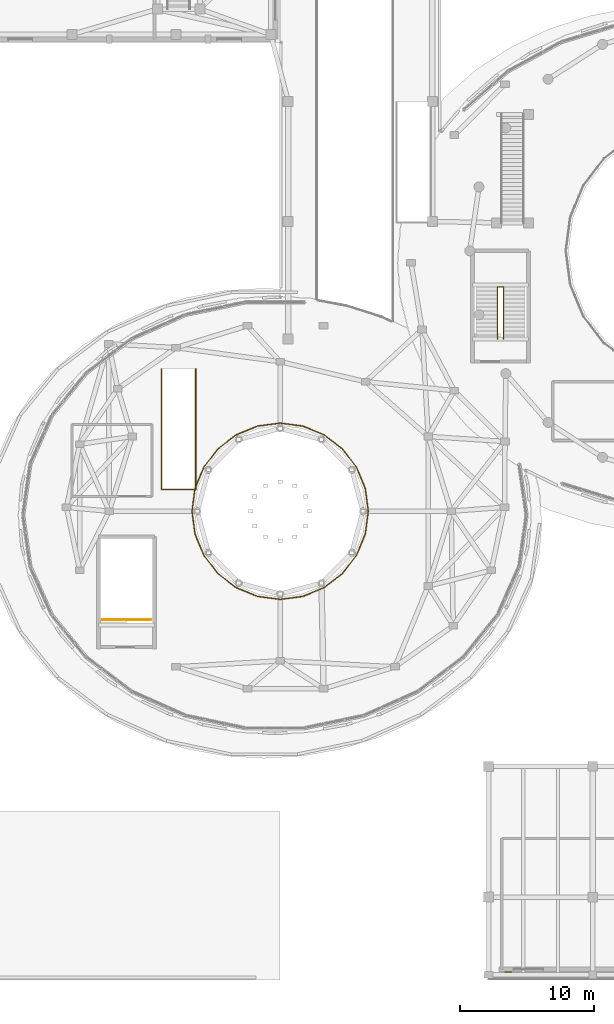
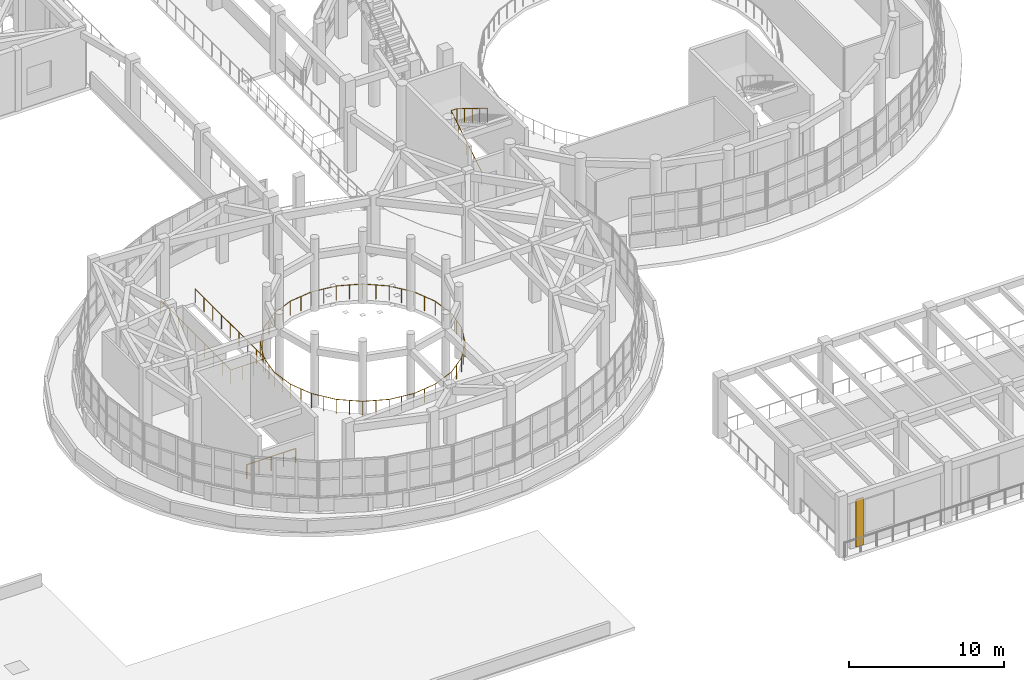
# One storey, part 88 of 98: 5 railings, 1 covering.
"""IFC4 building model written with IfcOpenShell, lengths in metres."""

from ifc_helpers import new_model, si_unit, direction, frame, origin, origin_2d, place, context, subcontext, project, spatial, rectangle, circle, extrude, material, layer, layer_set, type_object, element, save


model = new_model("IFC4")

# Units and contexts
model_context = context("Model", 3, precision=1e-05, world=origin(), true_north=direction((0.0, 1.0)))
body_context = subcontext(model_context, "Body", "Model", "MODEL_VIEW")
ifc_project = project(units=[si_unit("LENGTHUNIT", "METRE"), si_unit("AREAUNIT", "SQUARE_METRE"), si_unit("VOLUMEUNIT", "CUBIC_METRE"), si_unit("PLANEANGLEUNIT", "RADIAN"), si_unit("MASSUNIT", "GRAM", prefix="KILO")], contexts=[model_context])

# Site, building, storey
site_placement = place(None, origin())
site = spatial("IfcSite", under=ifc_project, at=site_placement, CompositionType="ELEMENT")
building_placement = place(site_placement, origin())
building = spatial("IfcBuilding", under=site, at=building_placement, Name="Pelvatis Terrace Science Centre", CompositionType="ELEMENT")
storey_placement = place(building_placement, frame((0.0, 0.0, 5.39990234375)))
storey = spatial("IfcBuildingStorey", under=building, at=storey_placement, Name="L01", CompositionType="ELEMENT", Elevation=5.39990234375)

# Covering
ifc_material_1 = material(Name="Fluted warm stone-aggregate precast facade relief panel", Category="masonry")
ifc_layer = layer(ifc_material_1, 0.054931640625)
ifc_layer_set = layer_set([ifc_layer], Name="Fluted warm stone-aggregate precast facade relief panel")
covering_type = type_object("IfcCoveringType", Name="COV-CLAD-PREC-55", PredefinedType="CLADDING", material=ifc_layer_set)
covering_placement = place(storey_placement, frame((63.8798828125, 0.60498046875, 0.06005859375), z_axis=(0.0, 0.0, 1.0), x_axis=(1.0, 0.0, 0.0)))
element("IfcCovering", 1, at=covering_placement, inside=storey, type_object=covering_type, Name="Classical fluted stone pilaster strip 01", PredefinedType="CLADDING", context=body_context, shape_type="SweptSolid", body=[
    extrude(rectangle(XDim=0.550048828125, YDim=0.054931640625, at=origin_2d()), origin(), (0.0, 0.0, 1.0), 3.739990234375),
])

# Railings
ifc_material_2 = material(Name="Brushed architectural bronze tubular railing", Category="steel")
railing_type_1 = type_object("IfcRailingType", Name="RLG-ATR-1140", PredefinedType="BALUSTRADE", material=ifc_material_2)
railing_1_placement = place(storey_placement, frame((53.39990234375, 35.10009765625, 0.0)))
element("IfcRailing", 2, at=railing_1_placement, inside=storey, type_object=railing_type_1, Name="Atrium overlook balustrade RLG-ATR-L01-V3 A", PredefinedType="BALUSTRADE", context=body_context, shape_type="SweptSolid", body=[
    extrude(circle(Radius=0.02392578125, at=origin_2d()), frame((0.0, 0.0, 1.11572265625), z_axis=(-0.130520498525, 0.991445610946, 0.0), x_axis=(-0.991445610946, -0.130520498525, 0.0)), (0.0, 0.0, 1.0), 1.72265625),
    extrude(circle(Radius=0.02392578125, at=origin_2d()), frame((-0.224853515625, 1.7080078125, 1.11572265625), z_axis=(-0.382602099302, 0.923913217575, 0.0), x_axis=(-0.923913217575, -0.382602099302, 0.0)), (0.0, 0.0, 1.0), 1.722900390625),
    extrude(circle(Radius=0.02392578125, at=origin_2d()), frame((-0.884033203125, 3.2998046875, 1.11572265625), z_axis=(-0.608827079893, 0.79330296028, 0.0), x_axis=(-0.79330296028, -0.608827079893, 0.0)), (0.0, 0.0, 1.0), 1.72314453125),
    extrude(circle(Radius=0.02392578125, at=origin_2d()), frame((-1.93310546875, 4.666748046875, 1.11572265625), z_axis=(-0.793250432414, 0.6088955177, 0.0), x_axis=(-0.6088955177, -0.793250432414, 0.0)), (0.0, 0.0, 1.0), 1.722900390625),
    extrude(circle(Radius=0.02392578125, at=origin_2d()), frame((-3.2998046875, 5.7158203125, 1.11572265625), z_axis=(-0.923913217575, 0.382602099302, 0.0), x_axis=(-0.382602099302, -0.923913217575, 0.0)), (0.0, 0.0, 1.0), 1.722900390625),
    extrude(circle(Radius=0.02392578125, at=origin_2d()), frame((-4.8916015625, 6.375, 1.11572265625), z_axis=(-0.991448024656, 0.130502162456, 0.0), x_axis=(-0.130502162456, -0.991448024656, 0.0)), (0.0, 0.0, 1.0), 1.722900390625),
    extrude(circle(Radius=0.02392578125, at=origin_2d()), frame((-6.599853515625, 6.599853515625, 1.11572265625), z_axis=(-0.991448024656, -0.130502162456, 0.0), x_axis=(0.130502162456, -0.991448024656, 0.0)), (0.0, 0.0, 1.0), 1.722900390625),
    extrude(circle(Radius=0.02392578125, at=origin_2d()), frame((-8.30810546875, 6.375, 1.11572265625), z_axis=(-0.923913217575, -0.382602099302, 0.0), x_axis=(0.382602099302, -0.923913217575, 0.0)), (0.0, 0.0, 1.0), 1.722900390625),
    extrude(circle(Radius=0.02392578125, at=origin_2d()), frame((-9.89990234375, 5.7158203125, 1.11572265625), z_axis=(-0.79330296028, -0.608827079893, 0.0), x_axis=(0.608827079893, -0.79330296028, 0.0)), (0.0, 0.0, 1.0), 1.72314453125),
    extrude(circle(Radius=0.02392578125, at=origin_2d()), frame((-11.266845703125, 4.666748046875, 1.11572265625), z_axis=(-0.608737900821, -0.793371393551, 0.0), x_axis=(0.793371393551, -0.608737900821, 0.0)), (0.0, 0.0, 1.0), 1.722900390625),
    extrude(circle(Radius=0.02392578125, at=origin_2d()), frame((-12.315673828125, 3.2998046875, 1.11572265625), z_axis=(-0.382723050626, -0.923863121095, 0.0), x_axis=(0.923863121095, -0.382723050626, 0.0)), (0.0, 0.0, 1.0), 1.722900390625),
    extrude(circle(Radius=0.02392578125, at=origin_2d()), frame((-12.97509765625, 1.7080078125, 1.11572265625), z_axis=(-0.130520498525, -0.991445610946, 0.0), x_axis=(0.991445610946, -0.130520498525, 0.0)), (0.0, 0.0, 1.0), 1.72265625),
    extrude(circle(Radius=0.02099609375, at=origin_2d()), origin(), (0.0, 0.0, 1.0), 1.091796875),
    extrude(circle(Radius=0.02099609375, at=origin_2d()), frame((-0.1123046875, 0.85400390625, 0.0)), (0.0, 0.0, 1.0), 1.091796875),
    extrude(circle(Radius=0.02099609375, at=origin_2d()), frame((-0.224853515625, 1.7080078125, 0.0)), (0.0, 0.0, 1.0), 1.091796875),
    extrude(circle(Radius=0.02099609375, at=origin_2d()), frame((-0.554443359375, 2.50390625, 0.0)), (0.0, 0.0, 1.0), 1.091796875),
    extrude(circle(Radius=0.02099609375, at=origin_2d()), frame((-0.884033203125, 3.2998046875, 0.0)), (0.0, 0.0, 1.0), 1.091796875),
    extrude(circle(Radius=0.02099609375, at=origin_2d()), frame((-1.40869140625, 3.9833984375, 0.0)), (0.0, 0.0, 1.0), 1.091796875),
    extrude(circle(Radius=0.02099609375, at=origin_2d()), frame((-1.93310546875, 4.666748046875, 0.0)), (0.0, 0.0, 1.0), 1.091796875),
    extrude(circle(Radius=0.02099609375, at=origin_2d()), frame((-2.616455078125, 5.19140625, 0.0)), (0.0, 0.0, 1.0), 1.091796875),
    extrude(circle(Radius=0.02099609375, at=origin_2d()), frame((-3.2998046875, 5.7158203125, 0.0)), (0.0, 0.0, 1.0), 1.091796875),
    extrude(circle(Radius=0.02099609375, at=origin_2d()), frame((-4.095703125, 6.04541015625, 0.0)), (0.0, 0.0, 1.0), 1.091796875),
    extrude(circle(Radius=0.02099609375, at=origin_2d()), frame((-4.8916015625, 6.375, 0.0)), (0.0, 0.0, 1.0), 1.091796875),
    extrude(circle(Radius=0.02099609375, at=origin_2d()), frame((-5.74560546875, 6.4873046875, 0.0)), (0.0, 0.0, 1.0), 1.091796875),
    extrude(circle(Radius=0.02099609375, at=origin_2d()), frame((-6.599853515625, 6.599853515625, 0.0)), (0.0, 0.0, 1.0), 1.091796875),
    extrude(circle(Radius=0.02099609375, at=origin_2d()), frame((-7.4541015625, 6.4873046875, 0.0)), (0.0, 0.0, 1.0), 1.091796875),
    extrude(circle(Radius=0.02099609375, at=origin_2d()), frame((-8.30810546875, 6.375, 0.0)), (0.0, 0.0, 1.0), 1.091796875),
    extrude(circle(Radius=0.02099609375, at=origin_2d()), frame((-9.10400390625, 6.04541015625, 0.0)), (0.0, 0.0, 1.0), 1.091796875),
    extrude(circle(Radius=0.02099609375, at=origin_2d()), frame((-9.89990234375, 5.7158203125, 0.0)), (0.0, 0.0, 1.0), 1.091796875),
    extrude(circle(Radius=0.02099609375, at=origin_2d()), frame((-10.58349609375, 5.19140625, 0.0)), (0.0, 0.0, 1.0), 1.091796875),
    extrude(circle(Radius=0.02099609375, at=origin_2d()), frame((-11.266845703125, 4.666748046875, 0.0)), (0.0, 0.0, 1.0), 1.091796875),
    extrude(circle(Radius=0.02099609375, at=origin_2d()), frame((-11.791259765625, 3.9833984375, 0.0)), (0.0, 0.0, 1.0), 1.091796875),
    extrude(circle(Radius=0.02099609375, at=origin_2d()), frame((-12.315673828125, 3.2998046875, 0.0)), (0.0, 0.0, 1.0), 1.091796875),
    extrude(circle(Radius=0.02099609375, at=origin_2d()), frame((-12.6455078125, 2.50390625, 0.0)), (0.0, 0.0, 1.0), 1.091796875),
    extrude(circle(Radius=0.02099609375, at=origin_2d()), frame((-12.97509765625, 1.7080078125, 0.0)), (0.0, 0.0, 1.0), 1.091796875),
    extrude(circle(Radius=0.02099609375, at=origin_2d()), frame((-13.08740234375, 0.85400390625, 0.0)), (0.0, 0.0, 1.0), 1.091796875),
    extrude(circle(Radius=0.02099609375, at=origin_2d()), frame((-13.199951171875, 0.0, 0.0)), (0.0, 0.0, 1.0), 1.091796875),
])
railing_2_placement = place(storey_placement, frame((40.199951171875, 35.10009765625, 0.0)))
element("IfcRailing", 3, at=railing_2_placement, inside=storey, type_object=railing_type_1, Name="Atrium overlook balustrade RLG-ATR-L01-V3 B", PredefinedType="BALUSTRADE", context=body_context, shape_type="SweptSolid", body=[
    extrude(circle(Radius=0.02392578125, at=origin_2d()), frame((0.0, 0.0, 1.11572265625), z_axis=(0.130502162456, -0.991448024656, 0.0), x_axis=(0.991448024656, 0.130502162456, 0.0)), (0.0, 0.0, 1.0), 1.722900390625),
    extrude(circle(Radius=0.02392578125, at=origin_2d()), frame((0.224853515625, -1.708251953125, 1.11572265625), z_axis=(0.382723050626, -0.923863121095, 0.0), x_axis=(0.923863121095, 0.382723050626, 0.0)), (0.0, 0.0, 1.0), 1.722900390625),
    extrude(circle(Radius=0.02392578125, at=origin_2d()), frame((0.88427734375, -3.300048828125, 1.11572265625), z_axis=(0.608737900821, -0.793371393551, 0.0), x_axis=(0.793371393551, 0.608737900821, 0.0)), (0.0, 0.0, 1.0), 1.722900390625),
    extrude(circle(Radius=0.02392578125, at=origin_2d()), frame((1.93310546875, -4.6669921875, 1.11572265625), z_axis=(0.793371393551, -0.608737900821, 0.0), x_axis=(0.608737900821, 0.793371393551, 0.0)), (0.0, 0.0, 1.0), 1.722900390625),
    extrude(circle(Radius=0.02392578125, at=origin_2d()), frame((3.300048828125, -5.7158203125, 1.11572265625), z_axis=(0.923863121095, -0.382723050626, 0.0), x_axis=(0.382723050626, 0.923863121095, 0.0)), (0.0, 0.0, 1.0), 1.722900390625),
    extrude(circle(Radius=0.02392578125, at=origin_2d()), frame((4.891845703125, -6.375244140625, 1.11572265625), z_axis=(0.991448024656, -0.130502162456, 0.0), x_axis=(0.130502162456, 0.991448024656, 0.0)), (0.0, 0.0, 1.0), 1.722900390625),
    extrude(circle(Radius=0.02392578125, at=origin_2d()), frame((6.60009765625, -6.60009765625, 1.11572265625), z_axis=(0.991448024656, 0.130502162456, 0.0), x_axis=(-0.130502162456, 0.991448024656, 0.0)), (0.0, 0.0, 1.0), 1.722900390625),
    extrude(circle(Radius=0.02392578125, at=origin_2d()), frame((8.308349609375, -6.375244140625, 1.11572265625), z_axis=(0.923863121095, 0.382723050626, 0.0), x_axis=(-0.382723050626, 0.923863121095, 0.0)), (0.0, 0.0, 1.0), 1.722900390625),
    extrude(circle(Radius=0.02392578125, at=origin_2d()), frame((9.900146484375, -5.7158203125, 1.11572265625), z_axis=(0.793318876541, 0.608806340411, 0.0), x_axis=(-0.608806340411, 0.793318876541, 0.0)), (0.0, 0.0, 1.0), 1.72265625),
    extrude(circle(Radius=0.02392578125, at=origin_2d()), frame((11.266845703125, -4.6669921875, 1.11572265625), z_axis=(0.608827079893, 0.79330296028, 0.0), x_axis=(-0.79330296028, 0.608827079893, 0.0)), (0.0, 0.0, 1.0), 1.72314453125),
    extrude(circle(Radius=0.02392578125, at=origin_2d()), frame((12.31591796875, -3.300048828125, 1.11572265625), z_axis=(0.382602099302, 0.923913217575, 0.0), x_axis=(-0.923913217575, 0.382602099302, 0.0)), (0.0, 0.0, 1.0), 1.722900390625),
    extrude(circle(Radius=0.02392578125, at=origin_2d()), frame((12.97509765625, -1.708251953125, 1.11572265625), z_axis=(0.130502162456, 0.991448024656, 0.0), x_axis=(-0.991448024656, 0.130502162456, 0.0)), (0.0, 0.0, 1.0), 1.722900390625),
    extrude(circle(Radius=0.02099609375, at=origin_2d()), origin(), (0.0, 0.0, 1.0), 1.091796875),
    extrude(circle(Radius=0.02099609375, at=origin_2d()), frame((0.1123046875, -0.85400390625, 0.0)), (0.0, 0.0, 1.0), 1.091796875),
    extrude(circle(Radius=0.02099609375, at=origin_2d()), frame((0.224853515625, -1.708251953125, 0.0)), (0.0, 0.0, 1.0), 1.091796875),
    extrude(circle(Radius=0.02099609375, at=origin_2d()), frame((0.5546875, -2.504150390625, 0.0)), (0.0, 0.0, 1.0), 1.091796875),
    extrude(circle(Radius=0.02099609375, at=origin_2d()), frame((0.88427734375, -3.300048828125, 0.0)), (0.0, 0.0, 1.0), 1.091796875),
    extrude(circle(Radius=0.02099609375, at=origin_2d()), frame((1.40869140625, -3.9833984375, 0.0)), (0.0, 0.0, 1.0), 1.091796875),
    extrude(circle(Radius=0.02099609375, at=origin_2d()), frame((1.93310546875, -4.6669921875, 0.0)), (0.0, 0.0, 1.0), 1.091796875),
    extrude(circle(Radius=0.02099609375, at=origin_2d()), frame((2.61669921875, -5.19140625, 0.0)), (0.0, 0.0, 1.0), 1.091796875),
    extrude(circle(Radius=0.02099609375, at=origin_2d()), frame((3.300048828125, -5.7158203125, 0.0)), (0.0, 0.0, 1.0), 1.091796875),
    extrude(circle(Radius=0.02099609375, at=origin_2d()), frame((4.095947265625, -6.04541015625, 0.0)), (0.0, 0.0, 1.0), 1.091796875),
    extrude(circle(Radius=0.02099609375, at=origin_2d()), frame((4.891845703125, -6.375244140625, 0.0)), (0.0, 0.0, 1.0), 1.091796875),
    extrude(circle(Radius=0.02099609375, at=origin_2d()), frame((5.74609375, -6.48779296875, 0.0)), (0.0, 0.0, 1.0), 1.091796875),
    extrude(circle(Radius=0.02099609375, at=origin_2d()), frame((6.60009765625, -6.60009765625, 0.0)), (0.0, 0.0, 1.0), 1.091796875),
    extrude(circle(Radius=0.02099609375, at=origin_2d()), frame((7.4541015625, -6.48779296875, 0.0)), (0.0, 0.0, 1.0), 1.091796875),
    extrude(circle(Radius=0.02099609375, at=origin_2d()), frame((8.308349609375, -6.375244140625, 0.0)), (0.0, 0.0, 1.0), 1.091796875),
    extrude(circle(Radius=0.02099609375, at=origin_2d()), frame((9.104248046875, -6.04541015625, 0.0)), (0.0, 0.0, 1.0), 1.091796875),
    extrude(circle(Radius=0.02099609375, at=origin_2d()), frame((9.900146484375, -5.7158203125, 0.0)), (0.0, 0.0, 1.0), 1.091796875),
    extrude(circle(Radius=0.02099609375, at=origin_2d()), frame((10.58349609375, -5.19140625, 0.0)), (0.0, 0.0, 1.0), 1.091796875),
    extrude(circle(Radius=0.02099609375, at=origin_2d()), frame((11.266845703125, -4.6669921875, 0.0)), (0.0, 0.0, 1.0), 1.091796875),
    extrude(circle(Radius=0.02099609375, at=origin_2d()), frame((11.79150390625, -3.9833984375, 0.0)), (0.0, 0.0, 1.0), 1.091796875),
    extrude(circle(Radius=0.02099609375, at=origin_2d()), frame((12.31591796875, -3.300048828125, 0.0)), (0.0, 0.0, 1.0), 1.091796875),
    extrude(circle(Radius=0.02099609375, at=origin_2d()), frame((12.6455078125, -2.504150390625, 0.0)), (0.0, 0.0, 1.0), 1.091796875),
    extrude(circle(Radius=0.02099609375, at=origin_2d()), frame((12.97509765625, -1.708251953125, 0.0)), (0.0, 0.0, 1.0), 1.091796875),
    extrude(circle(Radius=0.02099609375, at=origin_2d()), frame((13.08740234375, -0.85400390625, 0.0)), (0.0, 0.0, 1.0), 1.091796875),
    extrude(circle(Radius=0.02099609375, at=origin_2d()), frame((13.199951171875, 0.0, 0.0)), (0.0, 0.0, 1.0), 1.091796875),
])
ifc_material_3 = material(Name="Brushed architectural bronze tubular railing", Category="steel")
railing_type_2 = type_object("IfcRailingType", Name="RLG-GRD-1120", PredefinedType="GUARDRAIL", material=ifc_material_3)
railing_3_placement = place(storey_placement, frame((63.080078125, 48.0, 0.0)))
element("IfcRailing", 4, at=railing_3_placement, inside=storey, type_object=railing_type_2, Name="Stair ST-05-L01 inner well guard", PredefinedType="GUARDRAIL", context=body_context, shape_type="SweptSolid", body=[
    extrude(circle(Radius=0.02392578125, at=origin_2d()), frame((0.0, 0.0, 1.09619140625), z_axis=(0.0, 0.851638180308, 0.5241301459), x_axis=(-1.0, 0.0, 0.0)), (0.0, 0.0, 1.0), 4.579345703125),
    extrude(circle(Radius=0.02392578125, at=origin_2d()), frame((0.0, 3.89990234375, 3.49609375), z_axis=(1.0, 0.0, 0.0), x_axis=(0.0, 1.0, 0.0)), (0.0, 0.0, 1.0), 0.43994140625),
    extrude(circle(Radius=0.02392578125, at=origin_2d()), frame((0.43994140625, 3.89990234375, 3.49609375), z_axis=(0.0, -0.851661977835, 0.524091476281), x_axis=(1.0, 0.0, 0.0)), (0.0, 0.0, 1.0), 4.5791015625),
    extrude(circle(Radius=0.02099609375, at=origin_2d()), origin(), (0.0, 0.0, 1.0), 1.072021484375),
    extrude(circle(Radius=0.02099609375, at=origin_2d()), frame((0.0, 0.97509765625, 0.60009765625)), (0.0, 0.0, 1.0), 1.072021484375),
    extrude(circle(Radius=0.02099609375, at=origin_2d()), frame((0.0, 1.949951171875, 1.2001953125)), (0.0, 0.0, 1.0), 1.072021484375),
    extrude(circle(Radius=0.02099609375, at=origin_2d()), frame((0.0, 2.9248046875, 1.800048828125)), (0.0, 0.0, 1.0), 1.072021484375),
    extrude(circle(Radius=0.02099609375, at=origin_2d()), frame((0.0, 3.89990234375, 2.400146484375)), (0.0, 0.0, 1.0), 1.072021484375),
    extrude(circle(Radius=0.02099609375, at=origin_2d()), frame((0.43994140625, 3.89990234375, 2.400146484375)), (0.0, 0.0, 1.0), 1.072021484375),
    extrude(circle(Radius=0.02099609375, at=origin_2d()), frame((0.43994140625, 2.9248046875, 3.0)), (0.0, 0.0, 1.0), 1.072021484375),
    extrude(circle(Radius=0.02099609375, at=origin_2d()), frame((0.43994140625, 1.949951171875, 3.60009765625)), (0.0, 0.0, 1.0), 1.072021484375),
    extrude(circle(Radius=0.02099609375, at=origin_2d()), frame((0.43994140625, 0.97509765625, 4.2001953125)), (0.0, 0.0, 1.0), 1.072021484375),
    extrude(circle(Radius=0.02099609375, at=origin_2d()), frame((0.43994140625, 0.0, 4.800048828125)), (0.0, 0.0, 1.0), 1.072021484375),
])
railing_4_placement = place(storey_placement, frame((33.47998046875, 26.97998046875, 0.0)))
element("IfcRailing", 5, at=railing_4_placement, inside=storey, type_object=railing_type_2, Name="Stair ST-08 top-storey well guard", PredefinedType="GUARDRAIL", context=body_context, shape_type="SweptSolid", body=[
    extrude(circle(Radius=0.02392578125, at=origin_2d()), frame((0.0, 0.0, 1.09619140625), z_axis=(1.0, 0.0, 0.0), x_axis=(0.0, 1.0, 0.0)), (0.0, 0.0, 1.0), 3.64013671875),
    extrude(circle(Radius=0.02099609375, at=origin_2d()), origin(), (0.0, 0.0, 1.0), 1.072021484375),
    extrude(circle(Radius=0.02099609375, at=origin_2d()), frame((0.91015625, 0.0, 0.0)), (0.0, 0.0, 1.0), 1.072021484375),
    extrude(circle(Radius=0.02099609375, at=origin_2d()), frame((1.820068359375, 0.0, 0.0)), (0.0, 0.0, 1.0), 1.072021484375),
    extrude(circle(Radius=0.02099609375, at=origin_2d()), frame((2.72998046875, 0.0, 0.0)), (0.0, 0.0, 1.0), 1.072021484375),
    extrude(circle(Radius=0.02099609375, at=origin_2d()), frame((3.64013671875, 0.0, 0.0)), (0.0, 0.0, 1.0), 1.072021484375),
])
railing_5_placement = place(storey_placement, frame((37.919921875, 45.75, 0.0)))
element("IfcRailing", 6, at=railing_5_placement, inside=storey, type_object=railing_type_2, Name="Stair FST-01 upper well guardrail", PredefinedType="GUARDRAIL", context=body_context, shape_type="SweptSolid", body=[
    extrude(circle(Radius=0.02392578125, at=origin_2d()), frame((0.0, 0.0, 1.09619140625), z_axis=(0.0, -1.0, 0.0), x_axis=(1.0, 0.0, 0.0)), (0.0, 0.0, 1.0), 9.030029296875),
    extrude(circle(Radius=0.02392578125, at=origin_2d()), frame((0.0, -9.030029296875, 1.09619140625), z_axis=(1.0, 0.0, 0.0), x_axis=(0.0, 1.0, 0.0)), (0.0, 0.0, 1.0), 2.56005859375),
    extrude(circle(Radius=0.02392578125, at=origin_2d()), frame((2.56005859375, -9.030029296875, 1.09619140625), z_axis=(0.0, 1.0, 0.0), x_axis=(-1.0, 0.0, 0.0)), (0.0, 0.0, 1.0), 9.030029296875),
    extrude(circle(Radius=0.02099609375, at=origin_2d()), origin(), (0.0, 0.0, 1.0), 1.072021484375),
    extrude(circle(Radius=0.02099609375, at=origin_2d()), frame((0.0, -1.128662109375, 0.0)), (0.0, 0.0, 1.0), 1.072021484375),
    extrude(circle(Radius=0.02099609375, at=origin_2d()), frame((0.0, -2.257568359375, 0.0)), (0.0, 0.0, 1.0), 1.072021484375),
    extrude(circle(Radius=0.02099609375, at=origin_2d()), frame((0.0, -3.38623046875, 0.0)), (0.0, 0.0, 1.0), 1.072021484375),
    extrude(circle(Radius=0.02099609375, at=origin_2d()), frame((0.0, -4.51513671875, 0.0)), (0.0, 0.0, 1.0), 1.072021484375),
    extrude(circle(Radius=0.02099609375, at=origin_2d()), frame((0.0, -5.643798828125, 0.0)), (0.0, 0.0, 1.0), 1.072021484375),
    extrude(circle(Radius=0.02099609375, at=origin_2d()), frame((0.0, -6.7724609375, 0.0)), (0.0, 0.0, 1.0), 1.072021484375),
    extrude(circle(Radius=0.02099609375, at=origin_2d()), frame((0.0, -7.9013671875, 0.0)), (0.0, 0.0, 1.0), 1.072021484375),
    extrude(circle(Radius=0.02099609375, at=origin_2d()), frame((0.0, -9.030029296875, 0.0)), (0.0, 0.0, 1.0), 1.072021484375),
    extrude(circle(Radius=0.02099609375, at=origin_2d()), frame((0.853271484375, -9.030029296875, 0.0)), (0.0, 0.0, 1.0), 1.072021484375),
    extrude(circle(Radius=0.02099609375, at=origin_2d()), frame((1.706787109375, -9.030029296875, 0.0)), (0.0, 0.0, 1.0), 1.072021484375),
    extrude(circle(Radius=0.02099609375, at=origin_2d()), frame((2.56005859375, -9.030029296875, 0.0)), (0.0, 0.0, 1.0), 1.072021484375),
    extrude(circle(Radius=0.02099609375, at=origin_2d()), frame((2.56005859375, -7.9013671875, 0.0)), (0.0, 0.0, 1.0), 1.072021484375),
    extrude(circle(Radius=0.02099609375, at=origin_2d()), frame((2.56005859375, -6.7724609375, 0.0)), (0.0, 0.0, 1.0), 1.072021484375),
    extrude(circle(Radius=0.02099609375, at=origin_2d()), frame((2.56005859375, -5.643798828125, 0.0)), (0.0, 0.0, 1.0), 1.072021484375),
    extrude(circle(Radius=0.02099609375, at=origin_2d()), frame((2.56005859375, -4.51513671875, 0.0)), (0.0, 0.0, 1.0), 1.072021484375),
    extrude(circle(Radius=0.02099609375, at=origin_2d()), frame((2.56005859375, -3.38623046875, 0.0)), (0.0, 0.0, 1.0), 1.072021484375),
    extrude(circle(Radius=0.02099609375, at=origin_2d()), frame((2.56005859375, -2.257568359375, 0.0)), (0.0, 0.0, 1.0), 1.072021484375),
    extrude(circle(Radius=0.02099609375, at=origin_2d()), frame((2.56005859375, -1.128662109375, 0.0)), (0.0, 0.0, 1.0), 1.072021484375),
    extrude(circle(Radius=0.02099609375, at=origin_2d()), frame((2.56005859375, 0.0, 0.0)), (0.0, 0.0, 1.0), 1.072021484375),
])

save(model, "model.ifc")
